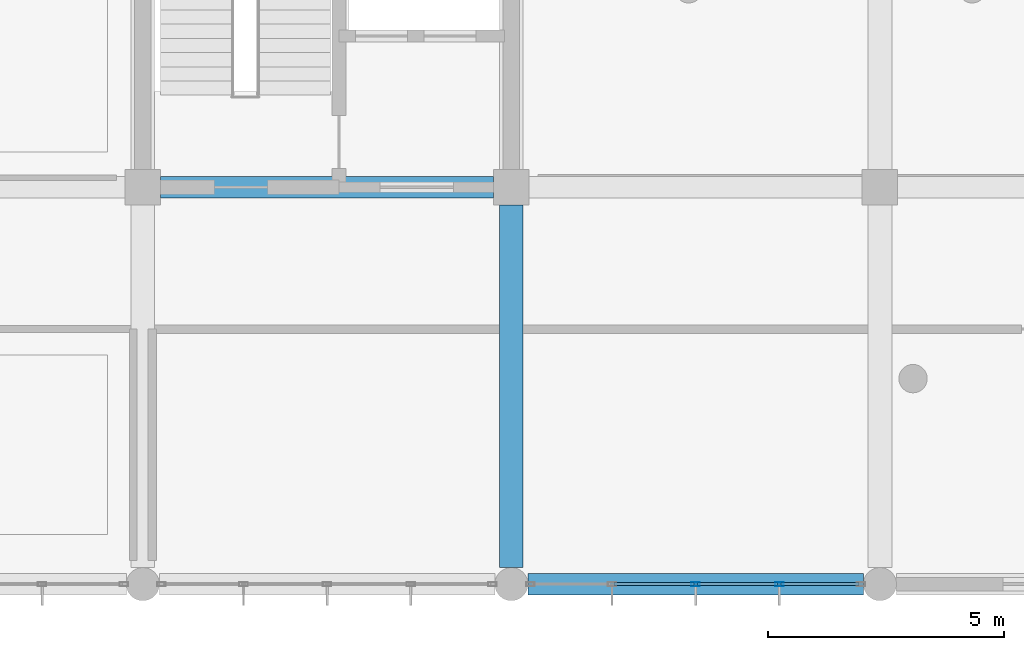
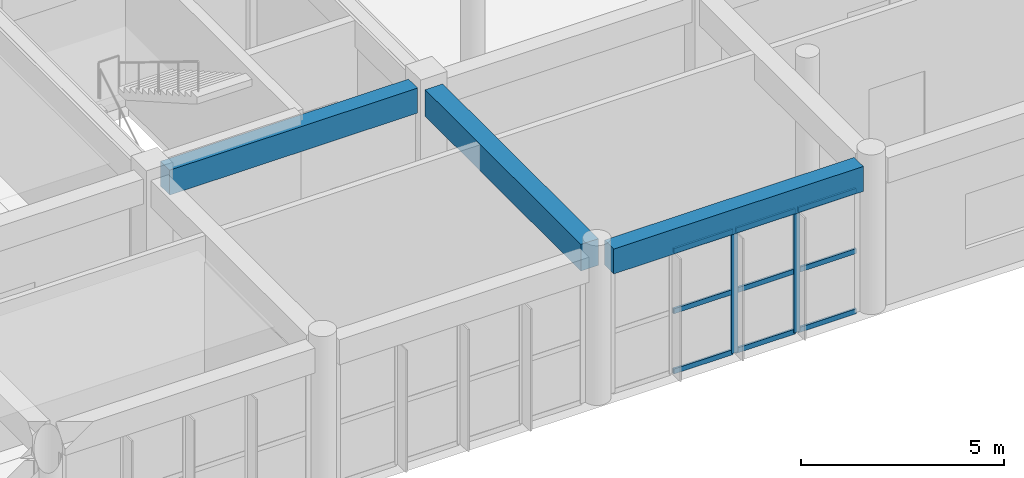
# One storey, part 35 of 175: 11 members, 3 beams, 1 element without a shape of its own.
"""IFC4 building model written with IfcOpenShell, lengths in metres."""

import ifcopenshell
import ifcopenshell.guid

model = None  # the IFC model being written
_history = None  # IfcOwnerHistory: only IFC2X3 demands one
_inside = {}  # id of a spatial element -> (the spatial element, [elements in it])
_under = {}  # id of a project, library or spatial element -> (it, [spatial elements below it])
_declared = {}  # id of a project -> (the project, [libraries it declares])
_typed = {}  # id of a type object -> (the type object, [elements of that type])
_made_of = {}  # id of a material, layer set ... -> (it, [elements and type objects made of it])


def new_model(schema):
    """Start an empty IFC model of exactly this schema.

    Asked for "IFC4X3", IfcOpenShell would pick the latest addendum, in which some entities
    have other attributes; the version numbers below select the first issue.
    IFC2X3 requires an IfcOwnerHistory on every rooted entity: one is made here for all.
    """
    global model, _history
    if schema == "IFC4X3":
        model = ifcopenshell.file(schema_version=(4, 3, 0, 0))
    else:
        model = ifcopenshell.file(schema=schema)
    _inside.clear()
    _under.clear()
    _declared.clear()
    _typed.clear()
    _made_of.clear()
    _history = None
    if model.schema == "IFC2X3":
        org = make("IfcOrganization", Name="unknown")
        user = make(
            "IfcPersonAndOrganization",
            ThePerson=make("IfcPerson", FamilyName="unknown"),
            TheOrganization=org,
        )
        app = make(
            "IfcApplication",
            ApplicationDeveloper=org,
            Version="unknown",
            ApplicationFullName="unknown",
            ApplicationIdentifier="unknown",
        )
        _history = make(
            "IfcOwnerHistory",
            OwningUser=user,
            OwningApplication=app,
            ChangeAction="ADDED",
            CreationDate=0,
        )
    return model


def make(cls, **values):
    """One entity of the class cls with the attributes given. An attribute that is None is left unset."""
    return model.create_entity(
        cls, **{name: value for name, value in values.items() if value is not None}
    )


def rooted(cls, **values):
    """An entity with a GlobalId (a new one), such as an element, a storey or a relation."""
    return make(cls, GlobalId=ifcopenshell.guid.new(), OwnerHistory=_history, **values)


def si_unit(unit_type, name, prefix=None):
    """IfcSIUnit, for example si_unit("LENGTHUNIT", "METRE", prefix="MILLI")."""
    return make("IfcSIUnit", UnitType=unit_type, Prefix=prefix, Name=name)


def assignment(units):
    """IfcUnitAssignment: the units of a project."""
    return None if units is None else make("IfcUnitAssignment", Units=units)


def point(xyz):
    """IfcCartesianPoint."""
    return None if xyz is None else make("IfcCartesianPoint", Coordinates=xyz)


def direction(xyz):
    """IfcDirection."""
    return None if xyz is None else make("IfcDirection", DirectionRatios=xyz)


def frame(location, z_axis=None, x_axis=None):
    """IfcAxis2Placement3D, a coordinate frame: its origin and axes. An axis left out is left unset."""
    return make(
        "IfcAxis2Placement3D",
        Location=point(location),
        Axis=direction(z_axis),
        RefDirection=direction(x_axis),
    )


def frame_2d(location, x_axis=None):
    """IfcAxis2Placement2D, a coordinate frame in the plane: its origin and x axis."""
    return make(
        "IfcAxis2Placement2D", Location=point(location), RefDirection=direction(x_axis)
    )


def origin():
    """The frame at (0, 0, 0) with its axes left unset."""
    return frame((0.0, 0.0, 0.0))


def origin_2d():
    """The frame at (0, 0) in the plane with its x axis left unset."""
    return frame_2d((0.0, 0.0))


def place(relative_to, where):
    """IfcLocalPlacement: puts the frame where relative to a parent placement (None: the world)."""
    return make(
        "IfcLocalPlacement", PlacementRelTo=relative_to, RelativePlacement=where
    )


def context(
    kind, dimensions, precision=None, world=None, true_north=None, identifier=None
):
    """IfcGeometricRepresentationContext, for example the 3D "Model" context."""
    return make(
        "IfcGeometricRepresentationContext",
        ContextIdentifier=identifier,
        ContextType=kind,
        CoordinateSpaceDimension=dimensions,
        Precision=precision,
        WorldCoordinateSystem=world,
        TrueNorth=true_north,
    )


def subcontext(parent, identifier, kind, view, scale=None):
    """IfcGeometricRepresentationSubContext, for example "Body" below "Model"."""
    return make(
        "IfcGeometricRepresentationSubContext",
        ContextIdentifier=identifier,
        ContextType=kind,
        ParentContext=parent,
        TargetScale=scale,
        TargetView=view,
    )


def project(units=None, contexts=None):
    """IfcProject with its units and contexts."""
    return rooted(
        "IfcProject",
        Name="project",
        RepresentationContexts=contexts,
        UnitsInContext=assignment(units),
    )


def spatial(cls, under=None, at=None, **own):
    """A site, building, storey or space (cls), placed at a placement, below another one or the project."""
    s = rooted(cls, ObjectPlacement=at, **own)
    if under is not None:
        _under.setdefault(under.id(), (under, []))[1].append(s)
    return s


def profile(cls, at=None, kind="AREA", **sizes):
    """A parametric profile (cls). Its sizes go by their IFC names, for example OverallWidth=200.0."""
    return make(cls, ProfileType=kind, Position=at, **sizes)


def rectangle(**sizes):
    """IfcRectangleProfileDef."""
    return profile("IfcRectangleProfileDef", **sizes)


def hollow_rectangle(**sizes):
    """IfcRectangleHollowProfileDef."""
    return profile("IfcRectangleHollowProfileDef", **sizes)


def extrude(swept, where, along, depth):
    """IfcExtrudedAreaSolid: the profile swept, set in the frame where, extruded along a direction by depth."""
    return make(
        "IfcExtrudedAreaSolid",
        SweptArea=swept,
        Position=where,
        ExtrudedDirection=direction(along),
        Depth=depth,
    )


def shape(context_of_items, identifier, shape_type, items):
    """IfcShapeRepresentation: the items that make up one representation, for example the "Body"."""
    return make(
        "IfcShapeRepresentation",
        ContextOfItems=context_of_items,
        RepresentationIdentifier=identifier,
        RepresentationType=shape_type,
        Items=items,
    )


def material(Name=None, Category=None):
    """IfcMaterial."""
    return make("IfcMaterial", Name=Name, Category=Category)


def layer(
    of_material, thickness, ventilated=None, Name=None, Category=None, Priority=None
):
    """IfcMaterialLayer: one layer of a wall or slab, of a material (None: an air gap)."""
    return make(
        "IfcMaterialLayer",
        Material=of_material,
        LayerThickness=thickness,
        IsVentilated=ventilated,
        Name=Name,
        Category=Category,
        Priority=Priority,
    )


def layer_set(layers, Name=None):
    """IfcMaterialLayerSet."""
    return make("IfcMaterialLayerSet", MaterialLayers=layers, LayerSetName=Name)


def material_profile(
    of_material, cross_section, Name=None, Category=None, Priority=None
):
    """IfcMaterialProfile: a cross section and its material."""
    return make(
        "IfcMaterialProfile",
        Name=Name,
        Material=of_material,
        Profile=cross_section,
        Priority=Priority,
        Category=Category,
    )


def profile_set(profiles, Name=None, composite=None):
    """IfcMaterialProfileSet."""
    return make(
        "IfcMaterialProfileSet",
        Name=Name,
        MaterialProfiles=profiles,
        CompositeProfile=composite,
    )


def made_of(thing, what):
    """Note that an element or type object is made of a material, layer set ...; save() writes the relation."""
    if what is not None:
        _made_of.setdefault(what.id(), (what, []))[1].append(thing)
    return thing


def type_object(cls, material=None, **own):
    """A type object (cls), such as IfcWallType, which elements share."""
    return made_of(rooted(cls, **own), material)


def element(
    cls,
    number,
    at=None,
    inside=None,
    cuts=None,
    type_object=None,
    material=None,
    context=None,
    identifier="Body",
    shape_type=None,
    held_by="IfcProductDefinitionShape",
    body=None,
    shapes=None,
    **own,
):
    """One element of the class cls, such as IfcWall. Its Tag is "e" and its number.

    at: its placement. inside: the storey or other place that contains it. cuts: it is an
    opening in that element (IfcRelVoidsElement). A single representation is given by context,
    identifier, shape_type and body (its items); several are given by shapes. held_by: the class
    of the entity that holds the representations. save() writes the other relations.
    """
    e = rooted(cls, Tag="e%d" % number, ObjectPlacement=at, **own)
    if body is not None:
        shapes = [shape(context, identifier, shape_type, body)]
    if shapes is not None:
        e.Representation = make(held_by, Representations=shapes)
    if inside is not None:
        _inside.setdefault(inside.id(), (inside, []))[1].append(e)
    if cuts is not None:
        rooted(
            "IfcRelVoidsElement", RelatingBuildingElement=cuts, RelatedOpeningElement=e
        )
    if type_object is not None:
        _typed.setdefault(type_object.id(), (type_object, []))[1].append(e)
    return made_of(e, material)


def aggregate(whole, parts):
    """IfcRelAggregates: a whole, such as a stair, and the parts it consists of."""
    return rooted("IfcRelAggregates", RelatingObject=whole, RelatedObjects=parts)


def save(model, path):
    """Write the relations noted so far, then the file.

    IfcRelAggregates (storeys below a building ...), IfcRelContainedInSpatialStructure (elements
    in a storey), IfcRelDefinesByType, IfcRelAssociatesMaterial and IfcRelDeclares: one each for
    every whole, place, type object, material and project.
    """
    for whole, parts in _under.values():
        aggregate(whole, parts)
    for where, things in _inside.values():
        rooted(
            "IfcRelContainedInSpatialStructure",
            RelatedElements=things,
            RelatingStructure=where,
        )
    for kind, things in _typed.values():
        rooted("IfcRelDefinesByType", RelatedObjects=things, RelatingType=kind)
    for what, things in _made_of.values():
        rooted("IfcRelAssociatesMaterial", RelatedObjects=things, RelatingMaterial=what)
    for by, libraries in _declared.values():
        rooted("IfcRelDeclares", RelatingContext=by, RelatedDefinitions=libraries)
    model.write(path)


model = new_model("IFC4")

# Units and contexts
model_context = context("Model", 3, precision=1e-05, world=origin(), true_north=direction((0.0, 1.0)))
body_context = subcontext(model_context, "Body", "Model", "MODEL_VIEW")
ifc_project = project(units=[si_unit("LENGTHUNIT", "METRE"), si_unit("AREAUNIT", "SQUARE_METRE"), si_unit("VOLUMEUNIT", "CUBIC_METRE"), si_unit("PLANEANGLEUNIT", "RADIAN"), si_unit("MASSUNIT", "GRAM", prefix="KILO")], contexts=[model_context])

# Site, building, storey
site_placement = place(None, origin())
site = spatial("IfcSite", under=ifc_project, at=site_placement, CompositionType="ELEMENT")
building_placement = place(site_placement, origin())
building = spatial("IfcBuilding", under=site, at=building_placement, Name="Zizhar Promenade General Hospital", CompositionType="ELEMENT")
storey_placement = place(building_placement, frame((0.0, 0.0, 4.800048828125)))
storey = spatial("IfcBuildingStorey", under=building, at=storey_placement, Name="L01", CompositionType="ELEMENT", Elevation=4.800048828125)

# Beams
ifc_material_1 = material(Name="Concrete C35/45", Category="concrete")
ifc_material_profile_1 = material_profile(ifc_material_1, rectangle(XDim=0.449951171875, YDim=0.75, at=origin_2d()))
ifc_profile_set_1 = profile_set([ifc_material_profile_1], Name="Concrete C35/45")
beam_type_1 = type_object("IfcBeamType", Name="BM-RC-450x750", PredefinedType="BEAM", material=ifc_profile_set_1)
beam_1_placement = place(storey_placement, frame((93.97509765625, 8.39990234375, 4.094970703125), z_axis=(1.0, 0.0, 0.0), x_axis=(0.0, 1.0, 0.0)))
element("IfcBeam", 1, at=beam_1_placement, inside=storey, type_object=beam_type_1, Name="Grid Beam X L01 (12-1)", PredefinedType="BEAM", context=body_context, shape_type="SweptSolid", body=[
    extrude(rectangle(XDim=0.449951171875, YDim=0.75, at=origin_2d()), origin(), (0.0, 0.0, 1.0), 7.0498046875),
])
beam_2_placement = place(storey_placement, frame((101.75, 0.0, 4.094970703125), z_axis=(1.0, 0.0, 0.0), x_axis=(0.0, 1.0, 0.0)))
element("IfcBeam", 2, at=beam_2_placement, inside=storey, type_object=beam_type_1, Name="Grid Beam X L01 (13-0)", PredefinedType="BEAM", context=body_context, shape_type="SweptSolid", body=[
    extrude(rectangle(XDim=0.449951171875, YDim=0.75, at=origin_2d()), origin(), (0.0, 0.0, 1.0), 7.10009765625),
])
ifc_material_2 = material(Name="Concrete C35/45", Category="concrete")
ifc_material_profile_2 = material_profile(ifc_material_2, rectangle(XDim=0.5, YDim=0.800048828125, at=origin_2d()))
ifc_profile_set_2 = profile_set([ifc_material_profile_2], Name="Concrete C35/45")
beam_type_2 = type_object("IfcBeamType", Name="BM-RC-500x800", PredefinedType="BEAM", material=ifc_profile_set_2)
beam_3_placement = place(storey_placement, frame((101.39990234375, 0.35009765625, 4.070068359375), z_axis=(0.0, 1.0, 0.0), x_axis=(-1.0, 0.0, 0.0)))
element("IfcBeam", 3, at=beam_3_placement, inside=storey, type_object=beam_type_2, Name="Grid Beam Y L01 (13-0)", PredefinedType="BEAM", context=body_context, shape_type="SweptSolid", body=[
    extrude(rectangle(XDim=0.5, YDim=0.800048828125, at=origin_2d()), origin(), (0.0, 0.0, 1.0), 7.6748046875),
])

# Curtain wall, members
ifc_material_3 = material(Name="Anodised aluminium 6063-T6 and low-E glass", Category="aluminium")
ifc_layer = layer(ifc_material_3, 0.159912109375)
ifc_layer_set = layer_set([ifc_layer], Name="Anodised aluminium 6063-T6 and low-E glass")
curtain_wall_type = type_object("IfcCurtainWallType", Name="CW-DT-MOD1", PredefinedType="NOTDEFINED", material=ifc_layer_set)
curtain_wall_placement = place(storey_placement, origin())
curtain_wall = element("IfcCurtainWall", 4, at=curtain_wall_placement, inside=storey, type_object=curtain_wall_type, Name="Riverfront Clinical Curtain Wall L01-12", PredefinedType="NOTDEFINED")
ifc_material_4 = material(Name="Anodised aluminium 6063-T6", Category="aluminium")
ifc_material_profile_3 = material_profile(ifc_material_4, hollow_rectangle(XDim=0.080078125, YDim=0.179931640625, WallThickness=0.0048828125, at=origin_2d()))
ifc_profile_set_3 = profile_set([ifc_material_profile_3], Name="Anodised aluminium 6063-T6")
member_type_1 = type_object("IfcMemberType", Name="CWM-ALU-180x80", PredefinedType="MULLION", material=ifc_profile_set_3)
member_1_placement = place(storey_placement, frame((107.070068359375, 0.0, 0.0), z_axis=(0.0, 0.0, 1.0), x_axis=(0.0, -1.0, 0.0)))
member_1 = element("IfcMember", 5, at=member_1_placement, type_object=member_type_1, Name="CW-07 mullion 2", PredefinedType="MULLION", context=body_context, shape_type="SweptSolid", body=[
    extrude(hollow_rectangle(XDim=0.080078125, YDim=0.179931640625, WallThickness=0.0048828125, at=origin_2d()), origin(), (0.0, 0.0, 1.0), 3.679931640625),
])
member_2_placement = place(storey_placement, frame((105.300048828125, 0.0, 0.0), z_axis=(0.0, 0.0, 1.0), x_axis=(0.0, -1.0, 0.0)))
member_2 = element("IfcMember", 6, at=member_2_placement, type_object=member_type_1, Name="CW-07 mullion 3", PredefinedType="MULLION", context=body_context, shape_type="SweptSolid", body=[
    extrude(hollow_rectangle(XDim=0.080078125, YDim=0.179931640625, WallThickness=0.0048828125, at=origin_2d()), origin(), (0.0, 0.0, 1.0), 3.679931640625),
])
ifc_material_5 = material(Name="Anodised aluminium 6063-T6", Category="aluminium")
ifc_material_profile_4 = material_profile(ifc_material_5, hollow_rectangle(XDim=0.06005859375, YDim=0.14990234375, WallThickness=0.00390625, at=origin_2d()))
ifc_profile_set_4 = profile_set([ifc_material_profile_4], Name="Anodised aluminium 6063-T6")
member_type_2 = type_object("IfcMemberType", Name="CWT-ALU-150x60", PredefinedType="USERDEFINED", material=ifc_profile_set_4)
member_3_placement = place(storey_placement, frame((108.760009765625, 0.0, 0.030029296875), z_axis=(-1.0, 0.0, 0.0), x_axis=(0.0, -1.0, 0.0)))
member_3 = element("IfcMember", 7, at=member_3_placement, type_object=member_type_2, Name="CW-07 transom 1.1", ObjectType="TRANSOM", PredefinedType="USERDEFINED", context=body_context, shape_type="SweptSolid", body=[
    extrude(hollow_rectangle(XDim=0.06005859375, YDim=0.14990234375, WallThickness=0.00390625, at=origin_2d()), origin(), (0.0, 0.0, 1.0), 1.64990234375),
])
member_4_placement = place(storey_placement, frame((108.760009765625, 0.0, 1.83984375), z_axis=(-1.0, 0.0, 0.0), x_axis=(0.0, -1.0, 0.0)))
member_4 = element("IfcMember", 8, at=member_4_placement, type_object=member_type_2, Name="CW-07 transom 1.2", ObjectType="TRANSOM", PredefinedType="USERDEFINED", context=body_context, shape_type="SweptSolid", body=[
    extrude(hollow_rectangle(XDim=0.06005859375, YDim=0.14990234375, WallThickness=0.00390625, at=origin_2d()), origin(), (0.0, 0.0, 1.0), 1.64990234375),
])
member_5_placement = place(storey_placement, frame((108.760009765625, 0.0, 3.64990234375), z_axis=(-1.0, 0.0, 0.0), x_axis=(0.0, -1.0, 0.0)))
member_5 = element("IfcMember", 9, at=member_5_placement, type_object=member_type_2, Name="CW-07 transom 1.3", ObjectType="TRANSOM", PredefinedType="USERDEFINED", context=body_context, shape_type="SweptSolid", body=[
    extrude(hollow_rectangle(XDim=0.06005859375, YDim=0.14990234375, WallThickness=0.00390625, at=origin_2d()), origin(), (0.0, 0.0, 1.0), 1.64990234375),
])
member_6_placement = place(storey_placement, frame((107.030029296875, 0.0, 0.030029296875), z_axis=(-1.0, 0.0, 0.0), x_axis=(0.0, -1.0, 0.0)))
member_6 = element("IfcMember", 10, at=member_6_placement, type_object=member_type_2, Name="CW-07 transom 2.1", ObjectType="TRANSOM", PredefinedType="USERDEFINED", context=body_context, shape_type="SweptSolid", body=[
    extrude(hollow_rectangle(XDim=0.06005859375, YDim=0.14990234375, WallThickness=0.00390625, at=origin_2d()), origin(), (0.0, 0.0, 1.0), 1.68994140625),
])
member_7_placement = place(storey_placement, frame((107.030029296875, 0.0, 1.83984375), z_axis=(-1.0, 0.0, 0.0), x_axis=(0.0, -1.0, 0.0)))
member_7 = element("IfcMember", 11, at=member_7_placement, type_object=member_type_2, Name="CW-07 transom 2.2", ObjectType="TRANSOM", PredefinedType="USERDEFINED", context=body_context, shape_type="SweptSolid", body=[
    extrude(hollow_rectangle(XDim=0.06005859375, YDim=0.14990234375, WallThickness=0.00390625, at=origin_2d()), origin(), (0.0, 0.0, 1.0), 1.68994140625),
])
member_8_placement = place(storey_placement, frame((107.030029296875, 0.0, 3.64990234375), z_axis=(-1.0, 0.0, 0.0), x_axis=(0.0, -1.0, 0.0)))
member_8 = element("IfcMember", 12, at=member_8_placement, type_object=member_type_2, Name="CW-07 transom 2.3", ObjectType="TRANSOM", PredefinedType="USERDEFINED", context=body_context, shape_type="SweptSolid", body=[
    extrude(hollow_rectangle(XDim=0.06005859375, YDim=0.14990234375, WallThickness=0.00390625, at=origin_2d()), origin(), (0.0, 0.0, 1.0), 1.68994140625),
])
member_9_placement = place(storey_placement, frame((105.260009765625, 0.0, 0.030029296875), z_axis=(-1.0, 0.0, 0.0), x_axis=(0.0, -1.0, 0.0)))
member_9 = element("IfcMember", 13, at=member_9_placement, type_object=member_type_2, Name="CW-07 transom 3.1", ObjectType="TRANSOM", PredefinedType="USERDEFINED", context=body_context, shape_type="SweptSolid", body=[
    extrude(hollow_rectangle(XDim=0.06005859375, YDim=0.14990234375, WallThickness=0.00390625, at=origin_2d()), origin(), (0.0, 0.0, 1.0), 1.68994140625),
])
member_10_placement = place(storey_placement, frame((105.260009765625, 0.0, 1.83984375), z_axis=(-1.0, 0.0, 0.0), x_axis=(0.0, -1.0, 0.0)))
member_10 = element("IfcMember", 14, at=member_10_placement, type_object=member_type_2, Name="CW-07 transom 3.2", ObjectType="TRANSOM", PredefinedType="USERDEFINED", context=body_context, shape_type="SweptSolid", body=[
    extrude(hollow_rectangle(XDim=0.06005859375, YDim=0.14990234375, WallThickness=0.00390625, at=origin_2d()), origin(), (0.0, 0.0, 1.0), 1.68994140625),
])
member_11_placement = place(storey_placement, frame((105.260009765625, 0.0, 3.64990234375), z_axis=(-1.0, 0.0, 0.0), x_axis=(0.0, -1.0, 0.0)))
member_11 = element("IfcMember", 15, at=member_11_placement, type_object=member_type_2, Name="CW-07 transom 3.3", ObjectType="TRANSOM", PredefinedType="USERDEFINED", context=body_context, shape_type="SweptSolid", body=[
    extrude(hollow_rectangle(XDim=0.06005859375, YDim=0.14990234375, WallThickness=0.00390625, at=origin_2d()), origin(), (0.0, 0.0, 1.0), 1.68994140625),
])
aggregate(curtain_wall, [member_1, member_2, member_3, member_4, member_5, member_6, member_7, member_8, member_9, member_10, member_11])

save(model, "model.ifc")
